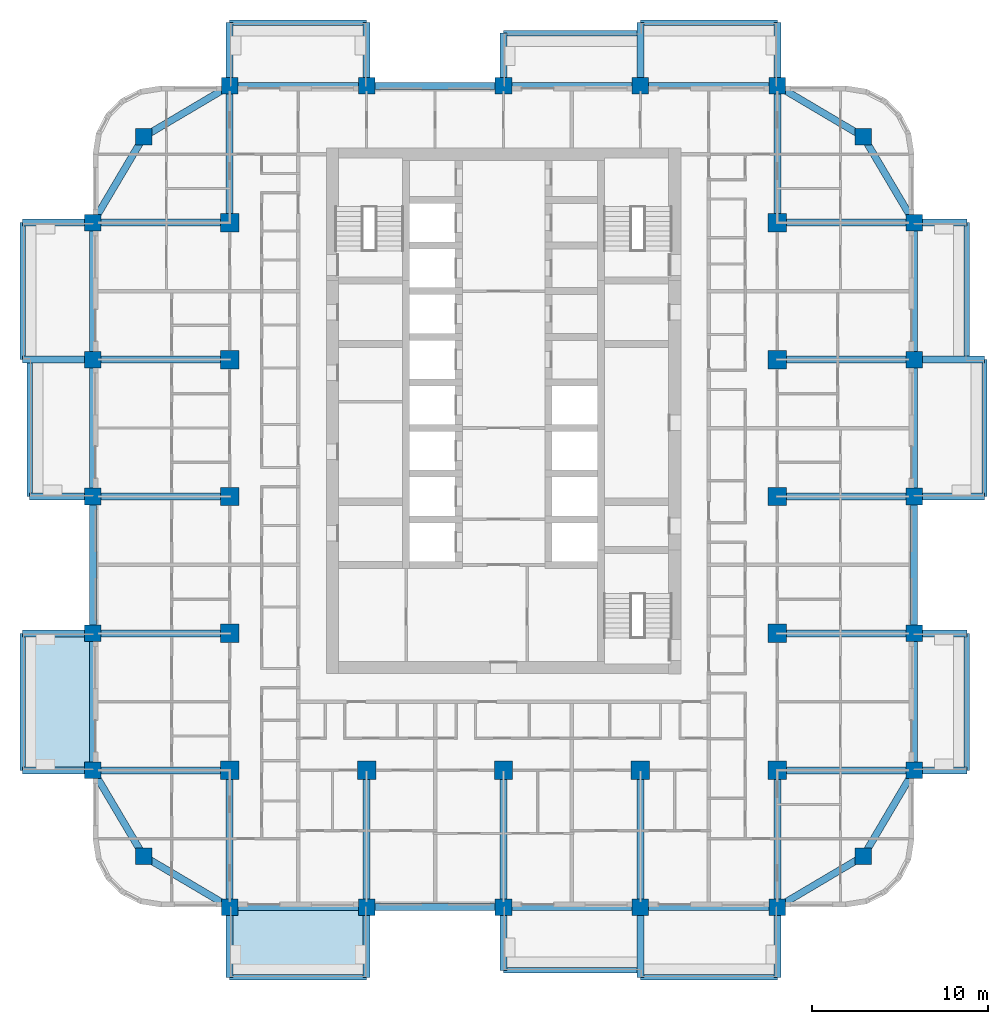
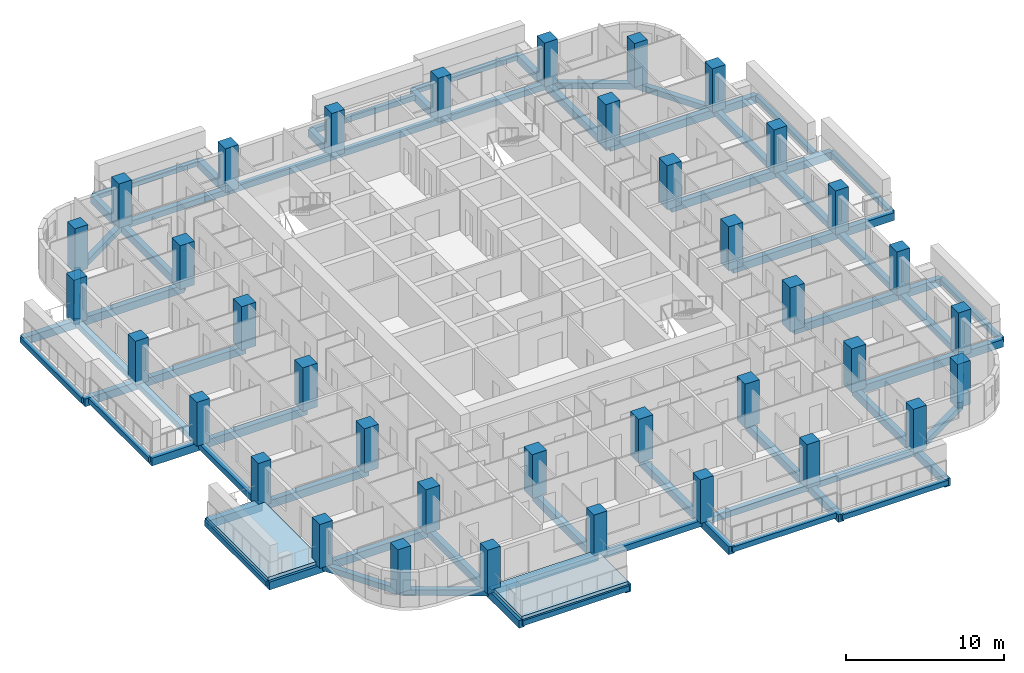
# One storey, part 1 of 18: 73 beams, 37 columns, 2 slabs.
"""IFC4 building model written with IfcOpenShell, lengths in metres."""

from ifc_helpers import new_model, si_unit, direction, frame, origin, origin_2d, place, context, subcontext, project, spatial, polyline, rectangle, outline, extrude, material, layer, layer_set, material_profile, profile_set, type_object, element, save


model = new_model("IFC4")

# Units and contexts
model_context = context("Model", 3, precision=1e-05, world=origin(), true_north=direction((0.0, 1.0)))
body_context = subcontext(model_context, "Body", "Model", "MODEL_VIEW")
ifc_project = project(units=[si_unit("LENGTHUNIT", "METRE"), si_unit("AREAUNIT", "SQUARE_METRE"), si_unit("VOLUMEUNIT", "CUBIC_METRE"), si_unit("PLANEANGLEUNIT", "RADIAN"), si_unit("MASSUNIT", "GRAM", prefix="KILO")], contexts=[model_context])

# Site, building, storey
site_placement = place(None, origin())
site = spatial("IfcSite", under=ifc_project, at=site_placement, CompositionType="ELEMENT")
building_placement = place(site_placement, origin())
building = spatial("IfcBuilding", under=site, at=building_placement, Name="Ludao Terraces", CompositionType="ELEMENT")
storey_placement = place(building_placement, frame((0.0, 0.0, 78.39990234375)))
storey = spatial("IfcBuildingStorey", under=building, at=storey_placement, Name="L21", CompositionType="ELEMENT", Elevation=78.39990234375)

# Columns
ifc_material_1 = material(Name="Concrete C55", Category="concrete")
ifc_material_profile_1 = material_profile(ifc_material_1, rectangle(XDim=1.050048828125, YDim=1.050048828125, at=origin_2d()), Name="1050 X 1050")
ifc_profile_set_1 = profile_set([ifc_material_profile_1], Name="Concrete C55")
column_type_1 = type_object("IfcColumnType", Name="RC column 1050x1050 C55", PredefinedType="COLUMN", material=ifc_profile_set_1)
for number, where, z_axis, x_axis, name in (
    (1, (69.39990234375, 49.39990234375, -0.25), (0.0, 0.0, 1.0), (1.0, 0.0, 0.0), "Column L21 S0078x0078"),
    (2, (69.39990234375, 57.199951171875, -0.25), (0.0, 0.0, 1.0), (1.0, 0.0, 0.0), "Column L21 S0078x0156"),
    (3, (69.39990234375, 65.0, -0.25), (0.0, 0.0, 1.0), (1.0, 0.0, 0.0), "Column L21 S0078x0234"),
    (4, (69.39990234375, 72.800048828125, -0.25), (0.0, 0.0, 1.0), (1.0, 0.0, 0.0), "Column L21 S0078x0312"),
    (5, (69.39990234375, 80.60009765625, -0.25), (0.0, 0.0, 1.0), (1.0, 0.0, 0.0), "Column L21 S0078x0390"),
    (6, (77.199951171875, 49.39990234375, -0.25), (0.0, 0.0, 1.0), (1.0, 0.0, 0.0), "Column L21 S0156x0078"),
    (7, (85.0, 49.39990234375, -0.25), (0.0, 0.0, 1.0), (1.0, 0.0, 0.0), "Column L21 S0234x0078"),
    (8, (92.800048828125, 49.39990234375, -0.25), (0.0, 0.0, 1.0), (1.0, 0.0, 0.0), "Column L21 S0312x0078"),
    (9, (100.60009765625, 49.39990234375, -0.25), (0.0, 0.0, 1.0), (1.0, 0.0, 0.0), "Column L21 S0390x0078"),
    (10, (100.60009765625, 57.199951171875, -0.25), (0.0, 0.0, 1.0), (1.0, 0.0, 0.0), "Column L21 S0390x0156"),
    (11, (100.60009765625, 65.0, -0.25), (0.0, 0.0, 1.0), (1.0, 0.0, 0.0), "Column L21 S0390x0234"),
    (12, (100.60009765625, 72.800048828125, -0.25), (0.0, 0.0, 1.0), (1.0, 0.0, 0.0), "Column L21 S0390x0312"),
    (13, (100.60009765625, 80.60009765625, -0.25), (0.0, 0.0, 1.0), (1.0, 0.0, 0.0), "Column L21 S0390x0390"),
):
    element("IfcColumn", number, at=place(storey_placement, frame(where, z_axis=z_axis, x_axis=x_axis)), inside=storey, type_object=column_type_1, Name=name, PredefinedType="COLUMN", context=body_context, shape_type="SweptSolid", body=[
        extrude(rectangle(XDim=1.050048828125, YDim=1.050048828125, at=origin_2d()), origin(), (0.0, 0.0, 1.0), 3.400146484375),
    ])
ifc_material_profile_2 = material_profile(ifc_material_1, rectangle(XDim=0.949951171875, YDim=0.949951171875, at=origin_2d()), Name="950 X 950")
ifc_profile_set_2 = profile_set([ifc_material_profile_2], Name="Concrete C55")
column_type_2 = type_object("IfcColumnType", Name="RC column 950x950 C55", PredefinedType="COLUMN", material=ifc_profile_set_2)
for number, where, z_axis, x_axis, name in (
    (14, (64.5, 44.5, -0.25), (0.0, 0.0, 1.0), (1.0, 0.0, 0.0), "Column L21 C0029x0029"),
    (15, (105.5, 44.5, -0.25), (0.0, 0.0, 1.0), (1.0, 0.0, 0.0), "Column L21 C0439x0029"),
    (16, (64.5, 85.5, -0.25), (0.0, 0.0, 1.0), (1.0, 0.0, 0.0), "Column L21 C0029x0439"),
    (17, (105.5, 85.5, -0.25), (0.0, 0.0, 1.0), (1.0, 0.0, 0.0), "Column L21 C0439x0439"),
    (18, (61.60009765625, 49.39990234375, -0.25), (0.0, 0.0, 1.0), (1.0, 0.0, 0.0), "Column L21 F0000x0078"),
    (19, (108.39990234375, 49.39990234375, -0.25), (0.0, 0.0, 1.0), (1.0, 0.0, 0.0), "Column L21 F0468x0078"),
    (20, (69.39990234375, 41.60009765625, -0.25), (0.0, 0.0, 1.0), (1.0, 0.0, 0.0), "Column L21 F0078x0000"),
    (21, (69.39990234375, 88.39990234375, -0.25), (0.0, 0.0, 1.0), (1.0, 0.0, 0.0), "Column L21 F0078x0468"),
    (22, (61.60009765625, 57.199951171875, -0.25), (0.0, 0.0, 1.0), (1.0, 0.0, 0.0), "Column L21 F0000x0156"),
    (23, (108.39990234375, 57.199951171875, -0.25), (0.0, 0.0, 1.0), (1.0, 0.0, 0.0), "Column L21 F0468x0156"),
    (24, (77.199951171875, 41.60009765625, -0.25), (0.0, 0.0, 1.0), (1.0, 0.0, 0.0), "Column L21 F0156x0000"),
    (25, (77.199951171875, 88.39990234375, -0.25), (0.0, 0.0, 1.0), (1.0, 0.0, 0.0), "Column L21 F0156x0468"),
    (26, (61.60009765625, 65.0, -0.25), (0.0, 0.0, 1.0), (1.0, 0.0, 0.0), "Column L21 F0000x0234"),
    (27, (108.39990234375, 65.0, -0.25), (0.0, 0.0, 1.0), (1.0, 0.0, 0.0), "Column L21 F0468x0234"),
    (28, (85.0, 41.60009765625, -0.25), (0.0, 0.0, 1.0), (1.0, 0.0, 0.0), "Column L21 F0234x0000"),
    (29, (85.0, 88.39990234375, -0.25), (0.0, 0.0, 1.0), (1.0, 0.0, 0.0), "Column L21 F0234x0468"),
    (30, (61.60009765625, 72.800048828125, -0.25), (0.0, 0.0, 1.0), (1.0, 0.0, 0.0), "Column L21 F0000x0312"),
    (31, (108.39990234375, 72.800048828125, -0.25), (0.0, 0.0, 1.0), (1.0, 0.0, 0.0), "Column L21 F0468x0312"),
    (32, (92.800048828125, 41.60009765625, -0.25), (0.0, 0.0, 1.0), (1.0, 0.0, 0.0), "Column L21 F0312x0000"),
    (33, (92.800048828125, 88.39990234375, -0.25), (0.0, 0.0, 1.0), (1.0, 0.0, 0.0), "Column L21 F0312x0468"),
    (34, (61.60009765625, 80.60009765625, -0.25), (0.0, 0.0, 1.0), (1.0, 0.0, 0.0), "Column L21 F0000x0390"),
    (35, (108.39990234375, 80.60009765625, -0.25), (0.0, 0.0, 1.0), (1.0, 0.0, 0.0), "Column L21 F0468x0390"),
    (36, (100.60009765625, 41.60009765625, -0.25), (0.0, 0.0, 1.0), (1.0, 0.0, 0.0), "Column L21 F0390x0000"),
    (37, (100.60009765625, 88.39990234375, -0.25), (0.0, 0.0, 1.0), (1.0, 0.0, 0.0), "Column L21 F0390x0468"),
):
    element("IfcColumn", number, at=place(storey_placement, frame(where, z_axis=z_axis, x_axis=x_axis)), inside=storey, type_object=column_type_2, Name=name, PredefinedType="COLUMN", context=body_context, shape_type="SweptSolid", body=[
        extrude(rectangle(XDim=0.949951171875, YDim=0.949951171875, at=origin_2d()), origin(), (0.0, 0.0, 1.0), 3.400146484375),
    ])

# Beams
ifc_material_2 = material(Name="Concrete C40", Category="concrete")
ifc_material_profile_3 = material_profile(ifc_material_2, rectangle(XDim=0.300048828125, YDim=0.39990234375, at=origin_2d()), Name="300 X 400")
ifc_profile_set_3 = profile_set([ifc_material_profile_3], Name="Concrete C40")
beam_type_1 = type_object("IfcBeamType", Name="RC beam 300x400 C40", PredefinedType="BEAM", material=ifc_profile_set_3)
for number, where, z_axis, x_axis, name in (
    (38, (69.39990234375, 37.60009765625, -0.449951171875), (1.0, 0.0, 0.0), (0.0, 1.0, 0.0), "Balcony edge beam L21 S1"),
    (39, (85.0, 38.0, -0.449951171875), (1.0, 0.0, 0.0), (0.0, 1.0, 0.0), "Balcony edge beam L21 S3"),
    (40, (92.800048828125, 37.60009765625, -0.449951171875), (1.0, 0.0, 0.0), (0.0, 1.0, 0.0), "Balcony edge beam L21 S4"),
    (41, (111.39990234375, 49.39990234375, -0.449951171875), (0.0, 1.0, 0.0), (-1.0, 0.0, 0.0), "Balcony edge beam L21 E1"),
    (42, (112.39990234375, 65.0, -0.449951171875), (0.0, 1.0, 0.0), (-1.0, 0.0, 0.0), "Balcony edge beam L21 E3"),
    (43, (111.39990234375, 72.800048828125, -0.449951171875), (0.0, 1.0, 0.0), (-1.0, 0.0, 0.0), "Balcony edge beam L21 E4"),
    (44, (69.39990234375, 92.0, -0.449951171875), (1.0, 0.0, 0.0), (0.0, 1.0, 0.0), "Balcony edge beam L21 N1"),
    (45, (85.0, 91.39990234375, -0.449951171875), (1.0, 0.0, 0.0), (0.0, 1.0, 0.0), "Balcony edge beam L21 N3"),
    (46, (92.800048828125, 92.0, -0.449951171875), (1.0, 0.0, 0.0), (0.0, 1.0, 0.0), "Balcony edge beam L21 N4"),
    (47, (57.60009765625, 49.39990234375, -0.449951171875), (0.0, 1.0, 0.0), (-1.0, 0.0, 0.0), "Balcony edge beam L21 W1"),
    (48, (58.0, 65.0, -0.449951171875), (0.0, 1.0, 0.0), (-1.0, 0.0, 0.0), "Balcony edge beam L21 W3"),
    (49, (57.60009765625, 72.800048828125, -0.449951171875), (0.0, 1.0, 0.0), (-1.0, 0.0, 0.0), "Balcony edge beam L21 W4"),
):
    element("IfcBeam", number, at=place(storey_placement, frame(where, z_axis=z_axis, x_axis=x_axis)), inside=storey, type_object=beam_type_1, Name=name, PredefinedType="BEAM", context=body_context, shape_type="SweptSolid", body=[
        extrude(rectangle(XDim=0.300048828125, YDim=0.39990234375, at=origin_2d()), origin(), (0.0, 0.0, 1.0), 7.800048828125),
    ])
ifc_material_profile_4 = material_profile(ifc_material_2, rectangle(XDim=0.39990234375, YDim=0.449951171875, at=origin_2d()), Name="400 X 450")
ifc_profile_set_4 = profile_set([ifc_material_profile_4], Name="Concrete C40")
beam_type_2 = type_object("IfcBeamType", Name="RC beam 400x450 C40", PredefinedType="BEAM", material=ifc_profile_set_4)
beam_1_placement = place(storey_placement, frame((64.5, 44.5, -0.474853515625), z_axis=(0.860579751256, -0.509315709288, 0.0), x_axis=(0.509315709288, 0.860579751256, 0.0)))
element("IfcBeam", 50, at=beam_1_placement, inside=storey, type_object=beam_type_2, Name="Spandrel beam L21 S1", PredefinedType="BEAM", context=body_context, shape_type="SweptSolid", body=[
    extrude(rectangle(XDim=0.39990234375, YDim=0.449951171875, at=origin_2d()), origin(), (0.0, 0.0, 1.0), 5.693603515625),
])
for number, where, z_axis, x_axis, name in (
    (51, (69.39990234375, 41.60009765625, -0.474853515625), (1.0, 0.0, 0.0), (0.0, 1.0, 0.0), "Spandrel beam L21 S2"),
    (52, (77.199951171875, 41.60009765625, -0.474853515625), (1.0, 0.0, 0.0), (0.0, 1.0, 0.0), "Spandrel beam L21 S3"),
    (53, (85.0, 41.60009765625, -0.474853515625), (1.0, 0.0, 0.0), (0.0, 1.0, 0.0), "Spandrel beam L21 S4"),
    (54, (92.800048828125, 41.60009765625, -0.474853515625), (1.0, 0.0, 0.0), (0.0, 1.0, 0.0), "Spandrel beam L21 S5"),
):
    element("IfcBeam", number, at=place(storey_placement, frame(where, z_axis=z_axis, x_axis=x_axis)), inside=storey, type_object=beam_type_2, Name=name, PredefinedType="BEAM", context=body_context, shape_type="SweptSolid", body=[
        extrude(rectangle(XDim=0.39990234375, YDim=0.449951171875, at=origin_2d()), origin(), (0.0, 0.0, 1.0), 7.800048828125),
    ])
for number, where, z_axis, x_axis, name in (
    (55, (100.60009765625, 41.60009765625, -0.474853515625), (0.860579751256, 0.509315709288, 0.0), (-0.509315709288, 0.860579751256, 0.0), "Spandrel beam L21 S6"),
    (56, (64.5, 85.5, -0.474853515625), (0.860579751256, 0.509315709288, 0.0), (-0.509315709288, 0.860579751256, 0.0), "Spandrel beam L21 N7"),
):
    element("IfcBeam", number, at=place(storey_placement, frame(where, z_axis=z_axis, x_axis=x_axis)), inside=storey, type_object=beam_type_2, Name=name, PredefinedType="BEAM", context=body_context, shape_type="SweptSolid", body=[
        extrude(rectangle(XDim=0.39990234375, YDim=0.449951171875, at=origin_2d()), origin(), (0.0, 0.0, 1.0), 5.693603515625),
    ])
for number, where, z_axis, x_axis, name in (
    (57, (69.39990234375, 88.39990234375, -0.474853515625), (1.0, 0.0, 0.0), (0.0, 1.0, 0.0), "Spandrel beam L21 N8"),
    (58, (77.199951171875, 88.39990234375, -0.474853515625), (1.0, 0.0, 0.0), (0.0, 1.0, 0.0), "Spandrel beam L21 N9"),
    (59, (85.0, 88.39990234375, -0.474853515625), (1.0, 0.0, 0.0), (0.0, 1.0, 0.0), "Spandrel beam L21 N10"),
    (60, (92.800048828125, 88.39990234375, -0.474853515625), (1.0, 0.0, 0.0), (0.0, 1.0, 0.0), "Spandrel beam L21 N11"),
):
    element("IfcBeam", number, at=place(storey_placement, frame(where, z_axis=z_axis, x_axis=x_axis)), inside=storey, type_object=beam_type_2, Name=name, PredefinedType="BEAM", context=body_context, shape_type="SweptSolid", body=[
        extrude(rectangle(XDim=0.39990234375, YDim=0.449951171875, at=origin_2d()), origin(), (0.0, 0.0, 1.0), 7.800048828125),
    ])
for number, where, z_axis, x_axis, name in (
    (61, (100.60009765625, 88.39990234375, -0.474853515625), (0.860579751256, -0.509315709288, 0.0), (0.509315709288, 0.860579751256, 0.0), "Spandrel beam L21 N12"),
    (62, (64.5, 44.5, -0.474853515625), (-0.509315709288, 0.860579751256, 0.0), (-0.860579751256, -0.509315709288, 0.0), "Spandrel beam L21 W13"),
):
    element("IfcBeam", number, at=place(storey_placement, frame(where, z_axis=z_axis, x_axis=x_axis)), inside=storey, type_object=beam_type_2, Name=name, PredefinedType="BEAM", context=body_context, shape_type="SweptSolid", body=[
        extrude(rectangle(XDim=0.39990234375, YDim=0.449951171875, at=origin_2d()), origin(), (0.0, 0.0, 1.0), 5.693603515625),
    ])
for number, where, z_axis, x_axis, name in (
    (63, (61.60009765625, 49.39990234375, -0.474853515625), (0.0, 1.0, 0.0), (-1.0, 0.0, 0.0), "Spandrel beam L21 W14"),
    (64, (61.60009765625, 57.199951171875, -0.474853515625), (0.0, 1.0, 0.0), (-1.0, 0.0, 0.0), "Spandrel beam L21 W15"),
    (65, (61.60009765625, 65.0, -0.474853515625), (0.0, 1.0, 0.0), (-1.0, 0.0, 0.0), "Spandrel beam L21 W16"),
    (66, (61.60009765625, 72.800048828125, -0.474853515625), (0.0, 1.0, 0.0), (-1.0, 0.0, 0.0), "Spandrel beam L21 W17"),
):
    element("IfcBeam", number, at=place(storey_placement, frame(where, z_axis=z_axis, x_axis=x_axis)), inside=storey, type_object=beam_type_2, Name=name, PredefinedType="BEAM", context=body_context, shape_type="SweptSolid", body=[
        extrude(rectangle(XDim=0.39990234375, YDim=0.449951171875, at=origin_2d()), origin(), (0.0, 0.0, 1.0), 7.800048828125),
    ])
for number, where, z_axis, x_axis, name in (
    (67, (61.60009765625, 80.60009765625, -0.474853515625), (0.509315709288, 0.860579751256, 0.0), (-0.860579751256, 0.509315709288, 0.0), "Spandrel beam L21 W18"),
    (68, (105.5, 44.5, -0.474853515625), (0.509315709288, 0.860579751256, 0.0), (-0.860579751256, 0.509315709288, 0.0), "Spandrel beam L21 E19"),
):
    element("IfcBeam", number, at=place(storey_placement, frame(where, z_axis=z_axis, x_axis=x_axis)), inside=storey, type_object=beam_type_2, Name=name, PredefinedType="BEAM", context=body_context, shape_type="SweptSolid", body=[
        extrude(rectangle(XDim=0.39990234375, YDim=0.449951171875, at=origin_2d()), origin(), (0.0, 0.0, 1.0), 5.693603515625),
    ])
for number, where, z_axis, x_axis, name in (
    (69, (108.39990234375, 49.39990234375, -0.474853515625), (0.0, 1.0, 0.0), (-1.0, 0.0, 0.0), "Spandrel beam L21 E20"),
    (70, (108.39990234375, 57.199951171875, -0.474853515625), (0.0, 1.0, 0.0), (-1.0, 0.0, 0.0), "Spandrel beam L21 E21"),
    (71, (108.39990234375, 65.0, -0.474853515625), (0.0, 1.0, 0.0), (-1.0, 0.0, 0.0), "Spandrel beam L21 E22"),
    (72, (108.39990234375, 72.800048828125, -0.474853515625), (0.0, 1.0, 0.0), (-1.0, 0.0, 0.0), "Spandrel beam L21 E23"),
):
    element("IfcBeam", number, at=place(storey_placement, frame(where, z_axis=z_axis, x_axis=x_axis)), inside=storey, type_object=beam_type_2, Name=name, PredefinedType="BEAM", context=body_context, shape_type="SweptSolid", body=[
        extrude(rectangle(XDim=0.39990234375, YDim=0.449951171875, at=origin_2d()), origin(), (0.0, 0.0, 1.0), 7.800048828125),
    ])
beam_2_placement = place(storey_placement, frame((108.39990234375, 80.60009765625, -0.474853515625), z_axis=(-0.509315709288, 0.860579751256, 0.0), x_axis=(-0.860579751256, -0.509315709288, 0.0)))
element("IfcBeam", 73, at=beam_2_placement, inside=storey, type_object=beam_type_2, Name="Spandrel beam L21 E24", PredefinedType="BEAM", context=body_context, shape_type="SweptSolid", body=[
    extrude(rectangle(XDim=0.39990234375, YDim=0.449951171875, at=origin_2d()), origin(), (0.0, 0.0, 1.0), 5.693603515625),
])
ifc_material_profile_5 = material_profile(ifc_material_2, rectangle(XDim=0.39990234375, YDim=0.60009765625, at=origin_2d()), Name="400 X 600")
ifc_profile_set_5 = profile_set([ifc_material_profile_5], Name="Concrete C40")
beam_type_3 = type_object("IfcBeamType", Name="RC beam 400x600 C40", PredefinedType="BEAM", material=ifc_profile_set_5)
beam_3_placement = place(storey_placement, frame((100.60009765625, 49.39990234375, -0.5498046875), z_axis=(1.0, 0.0, 0.0), x_axis=(0.0, 1.0, 0.0)))
element("IfcBeam", 74, at=beam_3_placement, inside=storey, type_object=beam_type_3, Name="Balcony beam L21 E494", PredefinedType="BEAM", context=body_context, shape_type="SweptSolid", body=[
    extrude(rectangle(XDim=0.39990234375, YDim=0.60009765625, at=origin_2d()), origin(), (0.0, 0.0, 1.0), 7.7998046875),
])
beam_4_placement = place(storey_placement, frame((108.39990234375, 49.39990234375, -0.5498046875), z_axis=(1.0, 0.0, 0.0), x_axis=(0.0, 1.0, 0.0)))
element("IfcBeam", 75, at=beam_4_placement, inside=storey, type_object=beam_type_3, Name="Balcony beam L21 E494", PredefinedType="BEAM", context=body_context, shape_type="SweptSolid", body=[
    extrude(rectangle(XDim=0.39990234375, YDim=0.60009765625, at=origin_2d()), origin(), (0.0, 0.0, 1.0), 3.0),
])
beam_5_placement = place(storey_placement, frame((100.60009765625, 57.199951171875, -0.5498046875), z_axis=(1.0, 0.0, 0.0), x_axis=(0.0, 1.0, 0.0)))
element("IfcBeam", 76, at=beam_5_placement, inside=storey, type_object=beam_type_3, Name="Balcony beam L21 E572", PredefinedType="BEAM", context=body_context, shape_type="SweptSolid", body=[
    extrude(rectangle(XDim=0.39990234375, YDim=0.60009765625, at=origin_2d()), origin(), (0.0, 0.0, 1.0), 7.7998046875),
])
beam_6_placement = place(storey_placement, frame((108.39990234375, 57.199951171875, -0.5498046875), z_axis=(1.0, 0.0, 0.0), x_axis=(0.0, 1.0, 0.0)))
element("IfcBeam", 77, at=beam_6_placement, inside=storey, type_object=beam_type_3, Name="Balcony beam L21 E572", PredefinedType="BEAM", context=body_context, shape_type="SweptSolid", body=[
    extrude(rectangle(XDim=0.39990234375, YDim=0.60009765625, at=origin_2d()), origin(), (0.0, 0.0, 1.0), 3.0),
])
beam_7_placement = place(storey_placement, frame((100.60009765625, 65.0, -0.5498046875), z_axis=(1.0, 0.0, 0.0), x_axis=(0.0, 1.0, 0.0)))
element("IfcBeam", 78, at=beam_7_placement, inside=storey, type_object=beam_type_3, Name="Balcony beam L21 E650", PredefinedType="BEAM", context=body_context, shape_type="SweptSolid", body=[
    extrude(rectangle(XDim=0.39990234375, YDim=0.60009765625, at=origin_2d()), origin(), (0.0, 0.0, 1.0), 7.7998046875),
])
beam_8_placement = place(storey_placement, frame((108.39990234375, 65.0, -0.5498046875), z_axis=(1.0, 0.0, 0.0), x_axis=(0.0, 1.0, 0.0)))
element("IfcBeam", 79, at=beam_8_placement, inside=storey, type_object=beam_type_3, Name="Balcony beam L21 E650", PredefinedType="BEAM", context=body_context, shape_type="SweptSolid", body=[
    extrude(rectangle(XDim=0.39990234375, YDim=0.60009765625, at=origin_2d()), origin(), (0.0, 0.0, 1.0), 4.0),
])
beam_9_placement = place(storey_placement, frame((100.60009765625, 72.800048828125, -0.5498046875), z_axis=(1.0, 0.0, 0.0), x_axis=(0.0, 1.0, 0.0)))
element("IfcBeam", 80, at=beam_9_placement, inside=storey, type_object=beam_type_3, Name="Balcony beam L21 E728", PredefinedType="BEAM", context=body_context, shape_type="SweptSolid", body=[
    extrude(rectangle(XDim=0.39990234375, YDim=0.60009765625, at=origin_2d()), origin(), (0.0, 0.0, 1.0), 7.7998046875),
])
beam_10_placement = place(storey_placement, frame((108.39990234375, 72.800048828125, -0.5498046875), z_axis=(1.0, 0.0, 0.0), x_axis=(0.0, 1.0, 0.0)))
element("IfcBeam", 81, at=beam_10_placement, inside=storey, type_object=beam_type_3, Name="Balcony beam L21 E728", PredefinedType="BEAM", context=body_context, shape_type="SweptSolid", body=[
    extrude(rectangle(XDim=0.39990234375, YDim=0.60009765625, at=origin_2d()), origin(), (0.0, 0.0, 1.0), 4.0),
])
beam_11_placement = place(storey_placement, frame((100.60009765625, 80.60009765625, -0.5498046875), z_axis=(1.0, 0.0, 0.0), x_axis=(0.0, 1.0, 0.0)))
element("IfcBeam", 82, at=beam_11_placement, inside=storey, type_object=beam_type_3, Name="Balcony beam L21 E806", PredefinedType="BEAM", context=body_context, shape_type="SweptSolid", body=[
    extrude(rectangle(XDim=0.39990234375, YDim=0.60009765625, at=origin_2d()), origin(), (0.0, 0.0, 1.0), 7.7998046875),
])
beam_12_placement = place(storey_placement, frame((108.39990234375, 80.60009765625, -0.5498046875), z_axis=(1.0, 0.0, 0.0), x_axis=(0.0, 1.0, 0.0)))
element("IfcBeam", 83, at=beam_12_placement, inside=storey, type_object=beam_type_3, Name="Balcony beam L21 E806", PredefinedType="BEAM", context=body_context, shape_type="SweptSolid", body=[
    extrude(rectangle(XDim=0.39990234375, YDim=0.60009765625, at=origin_2d()), origin(), (0.0, 0.0, 1.0), 3.0),
])
beam_13_placement = place(storey_placement, frame((100.60009765625, 80.60009765625, -0.5498046875), z_axis=(0.0, 1.0, 0.0), x_axis=(-1.0, 0.0, 0.0)))
element("IfcBeam", 84, at=beam_13_placement, inside=storey, type_object=beam_type_3, Name="Balcony beam L21 N1006", PredefinedType="BEAM", context=body_context, shape_type="SweptSolid", body=[
    extrude(rectangle(XDim=0.39990234375, YDim=0.60009765625, at=origin_2d()), origin(), (0.0, 0.0, 1.0), 7.7998046875),
])
beam_14_placement = place(storey_placement, frame((100.60009765625, 88.39990234375, -0.5498046875), z_axis=(0.0, 1.0, 0.0), x_axis=(-1.0, 0.0, 0.0)))
element("IfcBeam", 85, at=beam_14_placement, inside=storey, type_object=beam_type_3, Name="Balcony beam L21 N1006", PredefinedType="BEAM", context=body_context, shape_type="SweptSolid", body=[
    extrude(rectangle(XDim=0.39990234375, YDim=0.60009765625, at=origin_2d()), origin(), (0.0, 0.0, 1.0), 3.60009765625),
])
beam_15_placement = place(storey_placement, frame((69.39990234375, 80.60009765625, -0.5498046875), z_axis=(0.0, 1.0, 0.0), x_axis=(-1.0, 0.0, 0.0)))
element("IfcBeam", 86, at=beam_15_placement, inside=storey, type_object=beam_type_3, Name="Balcony beam L21 N694", PredefinedType="BEAM", context=body_context, shape_type="SweptSolid", body=[
    extrude(rectangle(XDim=0.39990234375, YDim=0.60009765625, at=origin_2d()), origin(), (0.0, 0.0, 1.0), 7.7998046875),
])
for number, where, z_axis, x_axis, name in (
    (87, (69.39990234375, 88.39990234375, -0.5498046875), (0.0, 1.0, 0.0), (-1.0, 0.0, 0.0), "Balcony beam L21 N694"),
    (88, (77.199951171875, 88.39990234375, -0.5498046875), (0.0, 1.0, 0.0), (-1.0, 0.0, 0.0), "Balcony beam L21 N772"),
):
    element("IfcBeam", number, at=place(storey_placement, frame(where, z_axis=z_axis, x_axis=x_axis)), inside=storey, type_object=beam_type_3, Name=name, PredefinedType="BEAM", context=body_context, shape_type="SweptSolid", body=[
        extrude(rectangle(XDim=0.39990234375, YDim=0.60009765625, at=origin_2d()), origin(), (0.0, 0.0, 1.0), 3.60009765625),
    ])
beam_16_placement = place(storey_placement, frame((85.0, 88.39990234375, -0.5498046875), z_axis=(0.0, 1.0, 0.0), x_axis=(-1.0, 0.0, 0.0)))
element("IfcBeam", 89, at=beam_16_placement, inside=storey, type_object=beam_type_3, Name="Balcony beam L21 N850", PredefinedType="BEAM", context=body_context, shape_type="SweptSolid", body=[
    extrude(rectangle(XDim=0.39990234375, YDim=0.60009765625, at=origin_2d()), origin(), (0.0, 0.0, 1.0), 3.0),
])
beam_17_placement = place(storey_placement, frame((92.800048828125, 88.39990234375, -0.5498046875), z_axis=(0.0, 1.0, 0.0), x_axis=(-1.0, 0.0, 0.0)))
element("IfcBeam", 90, at=beam_17_placement, inside=storey, type_object=beam_type_3, Name="Balcony beam L21 N928", PredefinedType="BEAM", context=body_context, shape_type="SweptSolid", body=[
    extrude(rectangle(XDim=0.39990234375, YDim=0.60009765625, at=origin_2d()), origin(), (0.0, 0.0, 1.0), 3.60009765625),
])
beam_18_placement = place(storey_placement, frame((100.60009765625, 49.39990234375, -0.5498046875), z_axis=(0.0, -1.0, 0.0), x_axis=(1.0, 0.0, 0.0)))
element("IfcBeam", 91, at=beam_18_placement, inside=storey, type_object=beam_type_3, Name="Balcony beam L21 S1006", PredefinedType="BEAM", context=body_context, shape_type="SweptSolid", body=[
    extrude(rectangle(XDim=0.39990234375, YDim=0.60009765625, at=origin_2d()), origin(), (0.0, 0.0, 1.0), 7.7998046875),
])
beam_19_placement = place(storey_placement, frame((100.60009765625, 41.60009765625, -0.5498046875), z_axis=(0.0, -1.0, 0.0), x_axis=(1.0, 0.0, 0.0)))
element("IfcBeam", 92, at=beam_19_placement, inside=storey, type_object=beam_type_3, Name="Balcony beam L21 S1006", PredefinedType="BEAM", context=body_context, shape_type="SweptSolid", body=[
    extrude(rectangle(XDim=0.39990234375, YDim=0.60009765625, at=origin_2d()), origin(), (0.0, 0.0, 1.0), 4.0),
])
beam_20_placement = place(storey_placement, frame((69.39990234375, 49.39990234375, -0.5498046875), z_axis=(0.0, -1.0, 0.0), x_axis=(1.0, 0.0, 0.0)))
element("IfcBeam", 93, at=beam_20_placement, inside=storey, type_object=beam_type_3, Name="Balcony beam L21 S694", PredefinedType="BEAM", context=body_context, shape_type="SweptSolid", body=[
    extrude(rectangle(XDim=0.39990234375, YDim=0.60009765625, at=origin_2d()), origin(), (0.0, 0.0, 1.0), 7.7998046875),
])
beam_21_placement = place(storey_placement, frame((69.39990234375, 41.60009765625, -0.5498046875), z_axis=(0.0, -1.0, 0.0), x_axis=(1.0, 0.0, 0.0)))
element("IfcBeam", 94, at=beam_21_placement, inside=storey, type_object=beam_type_3, Name="Balcony beam L21 S694", PredefinedType="BEAM", context=body_context, shape_type="SweptSolid", body=[
    extrude(rectangle(XDim=0.39990234375, YDim=0.60009765625, at=origin_2d()), origin(), (0.0, 0.0, 1.0), 4.0),
])
beam_22_placement = place(storey_placement, frame((77.199951171875, 49.39990234375, -0.5498046875), z_axis=(0.0, -1.0, 0.0), x_axis=(1.0, 0.0, 0.0)))
element("IfcBeam", 95, at=beam_22_placement, inside=storey, type_object=beam_type_3, Name="Balcony beam L21 S772", PredefinedType="BEAM", context=body_context, shape_type="SweptSolid", body=[
    extrude(rectangle(XDim=0.39990234375, YDim=0.60009765625, at=origin_2d()), origin(), (0.0, 0.0, 1.0), 7.7998046875),
])
beam_23_placement = place(storey_placement, frame((77.199951171875, 41.60009765625, -0.5498046875), z_axis=(0.0, -1.0, 0.0), x_axis=(1.0, 0.0, 0.0)))
element("IfcBeam", 96, at=beam_23_placement, inside=storey, type_object=beam_type_3, Name="Balcony beam L21 S772", PredefinedType="BEAM", context=body_context, shape_type="SweptSolid", body=[
    extrude(rectangle(XDim=0.39990234375, YDim=0.60009765625, at=origin_2d()), origin(), (0.0, 0.0, 1.0), 4.0),
])
beam_24_placement = place(storey_placement, frame((85.0, 49.39990234375, -0.5498046875), z_axis=(0.0, -1.0, 0.0), x_axis=(1.0, 0.0, 0.0)))
element("IfcBeam", 97, at=beam_24_placement, inside=storey, type_object=beam_type_3, Name="Balcony beam L21 S850", PredefinedType="BEAM", context=body_context, shape_type="SweptSolid", body=[
    extrude(rectangle(XDim=0.39990234375, YDim=0.60009765625, at=origin_2d()), origin(), (0.0, 0.0, 1.0), 7.7998046875),
])
beam_25_placement = place(storey_placement, frame((85.0, 41.60009765625, -0.5498046875), z_axis=(0.0, -1.0, 0.0), x_axis=(1.0, 0.0, 0.0)))
element("IfcBeam", 98, at=beam_25_placement, inside=storey, type_object=beam_type_3, Name="Balcony beam L21 S850", PredefinedType="BEAM", context=body_context, shape_type="SweptSolid", body=[
    extrude(rectangle(XDim=0.39990234375, YDim=0.60009765625, at=origin_2d()), origin(), (0.0, 0.0, 1.0), 3.60009765625),
])
beam_26_placement = place(storey_placement, frame((92.800048828125, 49.39990234375, -0.5498046875), z_axis=(0.0, -1.0, 0.0), x_axis=(1.0, 0.0, 0.0)))
element("IfcBeam", 99, at=beam_26_placement, inside=storey, type_object=beam_type_3, Name="Balcony beam L21 S928", PredefinedType="BEAM", context=body_context, shape_type="SweptSolid", body=[
    extrude(rectangle(XDim=0.39990234375, YDim=0.60009765625, at=origin_2d()), origin(), (0.0, 0.0, 1.0), 7.7998046875),
])
beam_27_placement = place(storey_placement, frame((92.800048828125, 41.60009765625, -0.5498046875), z_axis=(0.0, -1.0, 0.0), x_axis=(1.0, 0.0, 0.0)))
element("IfcBeam", 100, at=beam_27_placement, inside=storey, type_object=beam_type_3, Name="Balcony beam L21 S928", PredefinedType="BEAM", context=body_context, shape_type="SweptSolid", body=[
    extrude(rectangle(XDim=0.39990234375, YDim=0.60009765625, at=origin_2d()), origin(), (0.0, 0.0, 1.0), 4.0),
])
beam_28_placement = place(storey_placement, frame((69.39990234375, 49.39990234375, -0.5498046875), z_axis=(-1.0, 0.0, 0.0), x_axis=(0.0, -1.0, 0.0)))
element("IfcBeam", 101, at=beam_28_placement, inside=storey, type_object=beam_type_3, Name="Balcony beam L21 W494", PredefinedType="BEAM", context=body_context, shape_type="SweptSolid", body=[
    extrude(rectangle(XDim=0.39990234375, YDim=0.60009765625, at=origin_2d()), origin(), (0.0, 0.0, 1.0), 7.7998046875),
])
beam_29_placement = place(storey_placement, frame((61.60009765625, 49.39990234375, -0.5498046875), z_axis=(-1.0, 0.0, 0.0), x_axis=(0.0, -1.0, 0.0)))
element("IfcBeam", 102, at=beam_29_placement, inside=storey, type_object=beam_type_3, Name="Balcony beam L21 W494", PredefinedType="BEAM", context=body_context, shape_type="SweptSolid", body=[
    extrude(rectangle(XDim=0.39990234375, YDim=0.60009765625, at=origin_2d()), origin(), (0.0, 0.0, 1.0), 4.0),
])
beam_30_placement = place(storey_placement, frame((69.39990234375, 57.199951171875, -0.5498046875), z_axis=(-1.0, 0.0, 0.0), x_axis=(0.0, -1.0, 0.0)))
element("IfcBeam", 103, at=beam_30_placement, inside=storey, type_object=beam_type_3, Name="Balcony beam L21 W572", PredefinedType="BEAM", context=body_context, shape_type="SweptSolid", body=[
    extrude(rectangle(XDim=0.39990234375, YDim=0.60009765625, at=origin_2d()), origin(), (0.0, 0.0, 1.0), 7.7998046875),
])
beam_31_placement = place(storey_placement, frame((61.60009765625, 57.199951171875, -0.5498046875), z_axis=(-1.0, 0.0, 0.0), x_axis=(0.0, -1.0, 0.0)))
element("IfcBeam", 104, at=beam_31_placement, inside=storey, type_object=beam_type_3, Name="Balcony beam L21 W572", PredefinedType="BEAM", context=body_context, shape_type="SweptSolid", body=[
    extrude(rectangle(XDim=0.39990234375, YDim=0.60009765625, at=origin_2d()), origin(), (0.0, 0.0, 1.0), 4.0),
])
beam_32_placement = place(storey_placement, frame((69.39990234375, 65.0, -0.5498046875), z_axis=(-1.0, 0.0, 0.0), x_axis=(0.0, -1.0, 0.0)))
element("IfcBeam", 105, at=beam_32_placement, inside=storey, type_object=beam_type_3, Name="Balcony beam L21 W650", PredefinedType="BEAM", context=body_context, shape_type="SweptSolid", body=[
    extrude(rectangle(XDim=0.39990234375, YDim=0.60009765625, at=origin_2d()), origin(), (0.0, 0.0, 1.0), 7.7998046875),
])
beam_33_placement = place(storey_placement, frame((61.60009765625, 65.0, -0.5498046875), z_axis=(-1.0, 0.0, 0.0), x_axis=(0.0, -1.0, 0.0)))
element("IfcBeam", 106, at=beam_33_placement, inside=storey, type_object=beam_type_3, Name="Balcony beam L21 W650", PredefinedType="BEAM", context=body_context, shape_type="SweptSolid", body=[
    extrude(rectangle(XDim=0.39990234375, YDim=0.60009765625, at=origin_2d()), origin(), (0.0, 0.0, 1.0), 3.60009765625),
])
beam_34_placement = place(storey_placement, frame((69.39990234375, 72.800048828125, -0.5498046875), z_axis=(-1.0, 0.0, 0.0), x_axis=(0.0, -1.0, 0.0)))
element("IfcBeam", 107, at=beam_34_placement, inside=storey, type_object=beam_type_3, Name="Balcony beam L21 W728", PredefinedType="BEAM", context=body_context, shape_type="SweptSolid", body=[
    extrude(rectangle(XDim=0.39990234375, YDim=0.60009765625, at=origin_2d()), origin(), (0.0, 0.0, 1.0), 7.7998046875),
])
beam_35_placement = place(storey_placement, frame((61.60009765625, 72.800048828125, -0.5498046875), z_axis=(-1.0, 0.0, 0.0), x_axis=(0.0, -1.0, 0.0)))
element("IfcBeam", 108, at=beam_35_placement, inside=storey, type_object=beam_type_3, Name="Balcony beam L21 W728", PredefinedType="BEAM", context=body_context, shape_type="SweptSolid", body=[
    extrude(rectangle(XDim=0.39990234375, YDim=0.60009765625, at=origin_2d()), origin(), (0.0, 0.0, 1.0), 4.0),
])
beam_36_placement = place(storey_placement, frame((69.39990234375, 80.60009765625, -0.5498046875), z_axis=(-1.0, 0.0, 0.0), x_axis=(0.0, -1.0, 0.0)))
element("IfcBeam", 109, at=beam_36_placement, inside=storey, type_object=beam_type_3, Name="Balcony beam L21 W806", PredefinedType="BEAM", context=body_context, shape_type="SweptSolid", body=[
    extrude(rectangle(XDim=0.39990234375, YDim=0.60009765625, at=origin_2d()), origin(), (0.0, 0.0, 1.0), 7.7998046875),
])
beam_37_placement = place(storey_placement, frame((61.60009765625, 80.60009765625, -0.5498046875), z_axis=(-1.0, 0.0, 0.0), x_axis=(0.0, -1.0, 0.0)))
element("IfcBeam", 110, at=beam_37_placement, inside=storey, type_object=beam_type_3, Name="Balcony beam L21 W806", PredefinedType="BEAM", context=body_context, shape_type="SweptSolid", body=[
    extrude(rectangle(XDim=0.39990234375, YDim=0.60009765625, at=origin_2d()), origin(), (0.0, 0.0, 1.0), 4.0),
])

# Slabs
ifc_layer = layer(ifc_material_2, 0.25)
ifc_layer_set = layer_set([ifc_layer], Name="Balcony slab 250 C40")
slab_type = type_object("IfcSlabType", Name="Balcony slab 250 C40", PredefinedType="USERDEFINED", material=ifc_layer_set)
slab_1_placement = place(storey_placement, frame((0.0, 0.0, -0.25)))
element("IfcSlab", 111, at=slab_1_placement, inside=storey, type_object=slab_type, Name="Balcony L21 S1", ObjectType="BALCONY", PredefinedType="USERDEFINED", context=body_context, shape_type="SweptSolid", body=[
    extrude(outline(polyline([(69.39990234375, 37.60009765625), (77.199951171875, 37.60009765625), (77.199951171875, 41.60009765625), (69.39990234375, 41.60009765625), (69.39990234375, 37.60009765625)])), origin(), (0.0, 0.0, 1.0), 0.25),
])
slab_2_placement = place(storey_placement, frame((0.0, 0.0, -0.25)))
element("IfcSlab", 112, at=slab_2_placement, inside=storey, type_object=slab_type, Name="Balcony L21 W1", ObjectType="BALCONY", PredefinedType="USERDEFINED", context=body_context, shape_type="SweptSolid", body=[
    extrude(outline(polyline([(57.60009765625, 49.39990234375), (61.60009765625, 49.39990234375), (61.60009765625, 57.199951171875), (57.60009765625, 57.199951171875), (57.60009765625, 49.39990234375)])), origin(), (0.0, 0.0, 1.0), 0.25),
])

save(model, "model.ifc")
